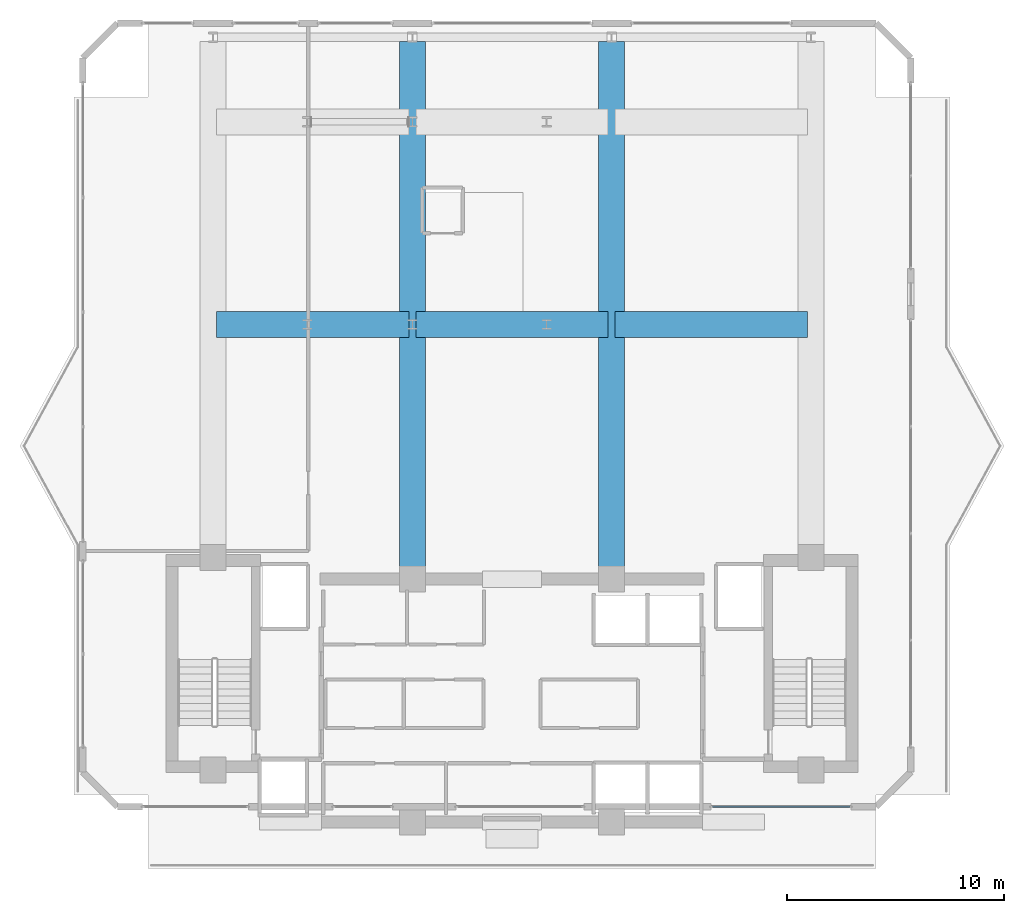
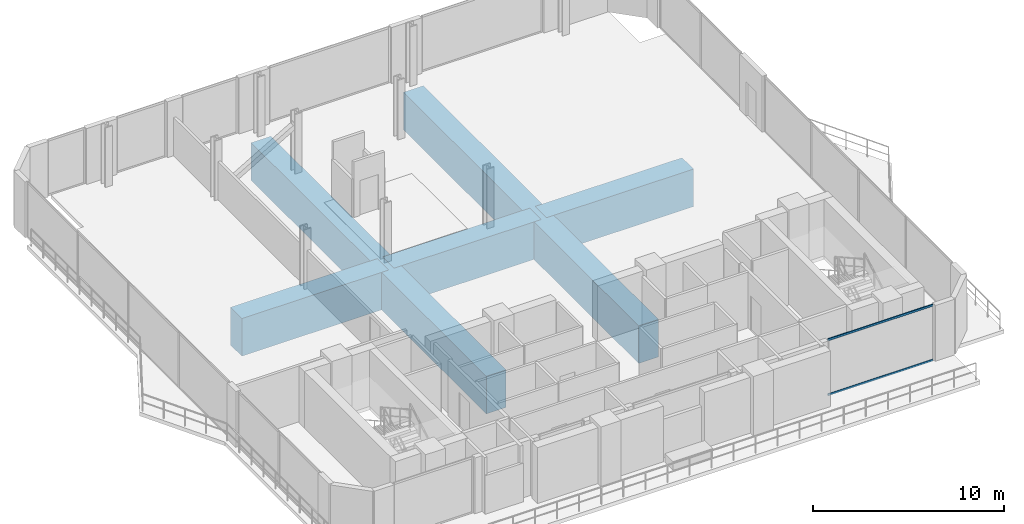
# One storey, part 11 of 27: 5 beams, 2 members, 1 element without a shape of its own.
"""IFC4 building model written with IfcOpenShell, lengths in metres."""

from ifc_helpers import new_model, si_unit, direction, frame, origin, origin_2d, place, context, subcontext, project, spatial, rectangle, hollow_rectangle, extrude, material, layer, layer_set, material_profile, profile_set, type_object, element, aggregate, save


model = new_model("IFC4")

# Units and contexts
model_context = context("Model", 3, precision=1e-05, world=origin(), true_north=direction((0.0, 1.0)))
body_context = subcontext(model_context, "Body", "Model", "MODEL_VIEW")
ifc_project = project(units=[si_unit("LENGTHUNIT", "METRE"), si_unit("AREAUNIT", "SQUARE_METRE"), si_unit("VOLUMEUNIT", "CUBIC_METRE"), si_unit("PLANEANGLEUNIT", "RADIAN"), si_unit("MASSUNIT", "GRAM", prefix="KILO")], contexts=[model_context])

# Site, building, storey
site_placement = place(None, origin())
site = spatial("IfcSite", under=ifc_project, at=site_placement, CompositionType="ELEMENT")
building_placement = place(site_placement, origin())
building = spatial("IfcBuilding", under=site, at=building_placement, Name="Zuhayl Quay Hotel", CompositionType="ELEMENT")
storey_placement = place(building_placement, frame((0.0, 0.0, 297.25)))
storey = spatial("IfcBuildingStorey", under=building, at=storey_placement, Name="Crown 1", CompositionType="ELEMENT", Elevation=297.25)

# Beams
ifc_material_1 = material(Name="Concrete C60/75", Category="concrete")
ifc_material_profile_1 = material_profile(ifc_material_1, rectangle(XDim=1.199951171875, YDim=2.39990234375, at=origin_2d()), Name="RC1200X2400")
ifc_profile_set_1 = profile_set([ifc_material_profile_1], Name="Concrete C60/75")
beam_type = type_object("IfcBeamType", Name="BM_TG0_RC2400", PredefinedType="BEAM", material=ifc_profile_set_1)
for number, where, z_axis, x_axis, name in (
    (1, (-4.60009765625, 13.550048828125, -1.43994140625), (0.0, 1.0, 0.0), (-1.0, 0.0, 0.0), "Crown 1 Floor Beam CR_NS_1_2"),
    (2, (4.60009765625, 13.550048828125, -1.43994140625), (0.0, 1.0, 0.0), (-1.0, 0.0, 0.0), "Crown 1 Floor Beam CR_NS_1_3"),
):
    element("IfcBeam", number, at=place(storey_placement, frame(where, z_axis=z_axis, x_axis=x_axis)), inside=storey, type_object=beam_type, Name=name, PredefinedType="BEAM", context=body_context, shape_type="SweptSolid", body=[
        extrude(rectangle(XDim=1.199951171875, YDim=2.39990234375, at=origin_2d()), origin(), (0.0, 0.0, 1.0), 24.599853515625),
    ])
for number, where, z_axis, x_axis, name in (
    (3, (-13.639892578125, 25.10009765625, -1.43994140625), (1.0, 0.0, 0.0), (0.0, 1.0, 0.0), "Crown 1 Floor Beam CR_EW_1_1_1"),
    (4, (-4.43994140625, 25.10009765625, -1.43994140625), (1.0, 0.0, 0.0), (0.0, 1.0, 0.0), "Crown 1 Floor Beam CR_EW_1_1_2"),
    (5, (4.760009765625, 25.10009765625, -1.43994140625), (1.0, 0.0, 0.0), (0.0, 1.0, 0.0), "Crown 1 Floor Beam CR_EW_1_1_3"),
):
    element("IfcBeam", number, at=place(storey_placement, frame(where, z_axis=z_axis, x_axis=x_axis)), inside=storey, type_object=beam_type, Name=name, PredefinedType="BEAM", context=body_context, shape_type="SweptSolid", body=[
        extrude(rectangle(XDim=1.199951171875, YDim=2.39990234375, at=origin_2d()), origin(), (0.0, 0.0, 1.0), 8.8798828125),
    ])

# Curtain wall, members
ifc_material_2 = material(Name="Anodised Aluminium 6063-T6", Category="aluminium")
ifc_layer = layer(ifc_material_2, 0.159912109375, Name="Anodised Aluminium 6063-T6", Category="aluminium")
ifc_layer_set = layer_set([ifc_layer], Name="Anodised Aluminium 6063-T6")
curtain_wall_type = type_object("IfcCurtainWallType", Name="CW_SYS_CRN", PredefinedType="USERDEFINED", material=ifc_layer_set)
curtain_wall_placement = place(storey_placement, origin())
curtain_wall = element("IfcCurtainWall", 6, at=curtain_wall_placement, inside=storey, type_object=curtain_wall_type, Name="Crown 1 Curtain Wall ENV_CR1_E7_CW1", ObjectType="UNITISED CURTAIN WALL", PredefinedType="USERDEFINED")
ifc_material_3 = material(Name="Black-anodised aluminium 6063-T6", Category="aluminium")
ifc_material_profile_2 = material_profile(ifc_material_3, hollow_rectangle(XDim=0.054931640625, YDim=0.1298828125, WallThickness=0.0029296875, at=origin_2d()), Name="ALU130X55")
ifc_profile_set_2 = profile_set([ifc_material_profile_2], Name="Black-anodised aluminium 6063-T6")
member_type = type_object("IfcMemberType", Name="MB_CW_TRN_130", PredefinedType="USERDEFINED", material=ifc_profile_set_2)
member_1_placement = place(storey_placement, frame((15.590087890625, 2.85009765625, 0.027587890625), z_axis=(-1.0, 0.0, 0.0), x_axis=(0.0, -1.0, 0.0)))
member_1 = element("IfcMember", 7, at=member_1_placement, type_object=member_type, Name="CW-CRN transom 1.1", ObjectType="TRANSOM", PredefinedType="USERDEFINED", context=body_context, shape_type="SweptSolid", body=[
    extrude(hollow_rectangle(XDim=0.054931640625, YDim=0.1298828125, WallThickness=0.0029296875, at=origin_2d()), origin(), (0.0, 0.0, 1.0), 6.35009765625),
])
member_2_placement = place(storey_placement, frame((15.590087890625, 2.85009765625, 3.532470703125), z_axis=(-1.0, 0.0, 0.0), x_axis=(0.0, -1.0, 0.0)))
member_2 = element("IfcMember", 8, at=member_2_placement, type_object=member_type, Name="CW-CRN transom 1.2", ObjectType="TRANSOM", PredefinedType="USERDEFINED", context=body_context, shape_type="SweptSolid", body=[
    extrude(hollow_rectangle(XDim=0.054931640625, YDim=0.1298828125, WallThickness=0.0029296875, at=origin_2d()), origin(), (0.0, 0.0, 1.0), 6.35009765625),
])
aggregate(curtain_wall, [member_1, member_2])

save(model, "model.ifc")
